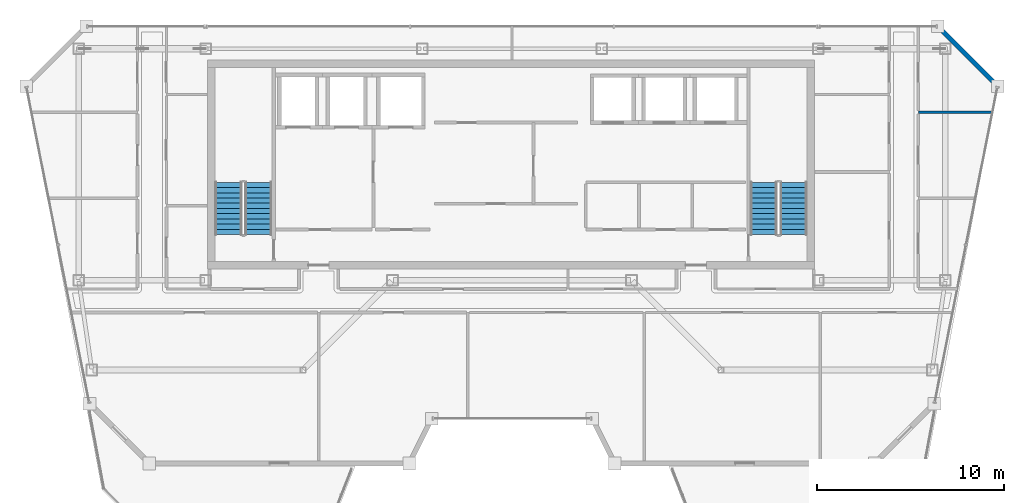
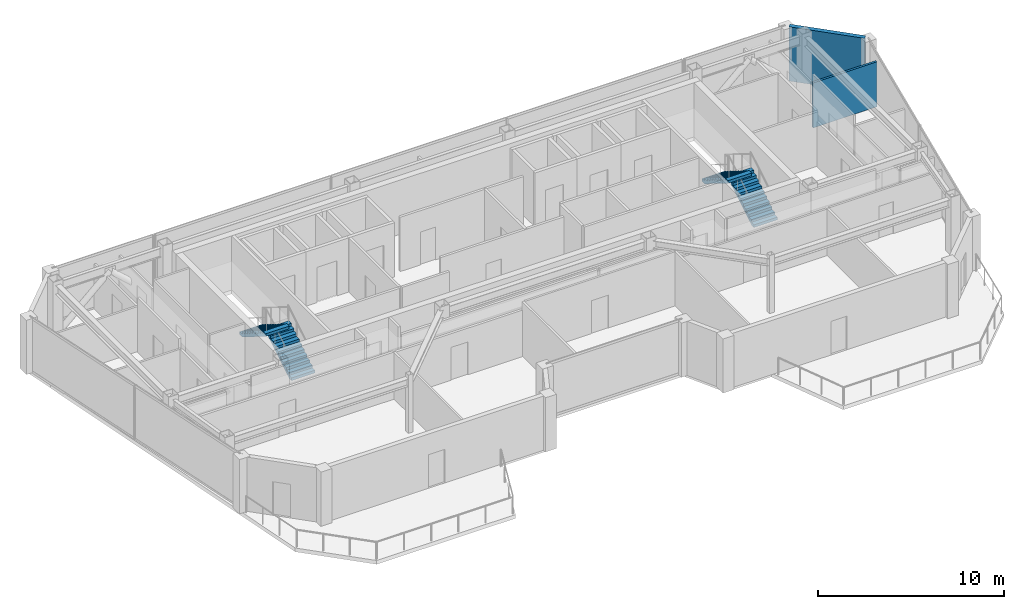
# One storey, part 17 of 20: 4 stair flights, 2 walls, 2 elements without a shape of their own.
"""IFC4 building model written with IfcOpenShell, lengths in metres."""

from ifc_helpers import new_model, si_unit, direction, frame, frame_2d, origin, place, context, subcontext, project, spatial, polyline, rectangle, outline, extrude, material, layer, layer_set, type_object, element, aggregate, save


model = new_model("IFC4")

# Units and contexts
model_context = context("Model", 3, precision=1e-05, world=origin(), true_north=direction((0.0, 1.0)))
body_context = subcontext(model_context, "Body", "Model", "MODEL_VIEW")
ifc_project = project(units=[si_unit("LENGTHUNIT", "METRE"), si_unit("AREAUNIT", "SQUARE_METRE"), si_unit("VOLUMEUNIT", "CUBIC_METRE"), si_unit("PLANEANGLEUNIT", "RADIAN"), si_unit("MASSUNIT", "GRAM", prefix="KILO")], contexts=[model_context])

# Site, building, storey
site_placement = place(None, origin())
site = spatial("IfcSite", under=ifc_project, at=site_placement, CompositionType="ELEMENT")
building_placement = place(site_placement, origin())
building = spatial("IfcBuilding", under=site, at=building_placement, Name="Saevonmaru Cultural Tower", CompositionType="ELEMENT")
storey_placement = place(building_placement, frame((0.0, 0.0, 295.199951171875)))
storey = spatial("IfcBuildingStorey", under=building, at=storey_placement, Name="L70", CompositionType="ELEMENT", Elevation=295.199951171875)

# Walls
ifc_material_1 = material(Name="Granite-Clad Precast Concrete C40/50", Category="masonry")
ifc_layer_1 = layer(ifc_material_1, 0.260009765625, Name="Granite-Clad Precast Concrete C40/50")
ifc_layer_set_1 = layer_set([ifc_layer_1], Name="Granite-Clad Precast Concrete C40/50")
wall_type_1 = type_object("IfcWallType", Name="WL-EXT-SPANDREL-260", PredefinedType="STANDARD", material=ifc_layer_set_1)
wall_1_placement = place(storey_placement, frame((55.886962890625, 52.9130859375, 0.0), z_axis=(0.0, 0.0, 1.0), x_axis=(-0.707106781187, 0.707106781187, 0.0)))
element("IfcWall", 1, at=wall_1_placement, inside=storey, type_object=wall_type_1, Name="L70 Chamfer Corner Spandrel Wall E9", PredefinedType="STANDARD", context=body_context, shape_type="SweptSolid", body=[
    extrude(rectangle(XDim=4.205810546875, YDim=0.260009765625, at=frame_2d((2.10302734375, 0.0))), origin(), (0.0, 0.0, 1.0), 3.550048828125),
])
ifc_material_2 = material(Name="Gypsum Fireboard Partition", Category="gypsum")
ifc_layer_2 = layer(ifc_material_2, 0.135009765625, Name="Gypsum Fireboard Partition")
ifc_layer_set_2 = layer_set([ifc_layer_2], Name="Gypsum Fireboard Partition")
wall_type_2 = type_object("IfcWallType", Name="WL-PART-GYP-135", PredefinedType="PARTITIONING", material=ifc_layer_set_2)
wall_2_placement = place(storey_placement, frame((51.75, 51.39990234375, 0.0), z_axis=(0.0, 0.0, 1.0), x_axis=(1.0, 0.0, 0.0)))
element("IfcWall", 2, at=wall_2_placement, inside=storey, type_object=wall_type_2, Name="L70 NE Studio Divider 2", PredefinedType="PARTITIONING", context=body_context, shape_type="SweptSolid", body=[
    extrude(rectangle(XDim=3.966552734375, YDim=0.135009765625, at=frame_2d((1.9833984375, 0.0))), origin(), (0.0, 0.0, 1.0), 2.947021484375),
])

# Stair, stair flights
ifc_material_3 = material(Name="Concrete C40/50", Category="concrete")
stair_type = type_object("IfcStairType", Name="STR-DOGLEG-RC", PredefinedType="HALF_TURN_STAIR", material=ifc_material_3)
stair_1_placement = place(storey_placement, origin())
stair_1 = element("IfcStair", 3, at=stair_1_placement, inside=storey, type_object=stair_type, Name="L70 Protected exit stair ST-1", PredefinedType="HALF_TURN_STAIR")
ifc_material_4 = material(Name="Precast concrete C40/50", Category="concrete")
stair_flight_type = type_object("IfcStairFlightType", Name="STF-PRECAST-180", PredefinedType="STRAIGHT", material=ifc_material_4)
stair_flight_1_placement = place(storey_placement, frame((16.425048828125, 44.85009765625, 0.0), z_axis=(0.0, 0.0, 1.0), x_axis=(0.0, 1.0, 0.0)))
stair_flight_1 = element("IfcStairFlight", 4, at=stair_flight_1_placement, type_object=stair_flight_type, Name="ST-1-L70 flight 1", NumberOfRisers=11, NumberOfTreads=10, PredefinedType="STRAIGHT", RiserHeight=0.172727273, TreadLength=0.28, context=body_context, shape_type="SweptSolid", body=[
    extrude(outline(polyline([(0.0, 0.0), (0.0, 0.172607421875), (0.280029296875, 0.172607421875), (0.280029296875, 0.345458984375), (0.56005859375, 0.345458984375), (0.56005859375, 0.51806640625), (0.840087890625, 0.51806640625), (0.840087890625, 0.69091796875), (1.1201171875, 0.69091796875), (1.1201171875, 0.863525390625), (1.39990234375, 0.863525390625), (1.39990234375, 1.036376953125), (1.679931640625, 1.036376953125), (1.679931640625, 1.208984375), (1.9599609375, 1.208984375), (1.9599609375, 1.3818359375), (2.239990234375, 1.3818359375), (2.239990234375, 1.554443359375), (2.52001953125, 1.554443359375), (2.52001953125, 1.727294921875), (2.800048828125, 1.727294921875), (2.800048828125, 1.89990234375), (2.800048828125, 1.551025390625), (0.285400390625, 0.0), (0.0, 0.0)])), frame((0.0, 0.72509765625, 0.0), z_axis=(0.0, -1.0, 0.0), x_axis=(1.0, 0.0, 0.0)), (0.0, 0.0, 1.0), 1.449951171875),
])
stair_flight_2_placement = place(storey_placement, frame((14.824951171875, 47.64990234375, 1.900146484375), z_axis=(0.0, 0.0, 1.0), x_axis=(0.0, -1.0, 0.0)))
stair_flight_2 = element("IfcStairFlight", 5, at=stair_flight_2_placement, type_object=stair_flight_type, Name="ST-1-L70 flight 2", NumberOfRisers=11, NumberOfTreads=10, PredefinedType="STRAIGHT", RiserHeight=0.172727273, TreadLength=0.28, context=body_context, shape_type="SweptSolid", body=[
    extrude(outline(polyline([(0.0, 0.0), (0.0, 0.172607421875), (0.280029296875, 0.172607421875), (0.280029296875, 0.345458984375), (0.56005859375, 0.345458984375), (0.56005859375, 0.51806640625), (0.840087890625, 0.51806640625), (0.840087890625, 0.69091796875), (1.1201171875, 0.69091796875), (1.1201171875, 0.863525390625), (1.39990234375, 0.863525390625), (1.39990234375, 1.036376953125), (1.679931640625, 1.036376953125), (1.679931640625, 1.208984375), (1.9599609375, 1.208984375), (1.9599609375, 1.3818359375), (2.239990234375, 1.3818359375), (2.239990234375, 1.554443359375), (2.52001953125, 1.554443359375), (2.52001953125, 1.727294921875), (2.800048828125, 1.727294921875), (2.800048828125, 1.89990234375), (2.800048828125, 1.551025390625), (0.285400390625, 0.0), (0.0, 0.0)])), frame((0.0, 0.72509765625, 0.0), z_axis=(0.0, -1.0, 0.0), x_axis=(1.0, 0.0, 0.0)), (0.0, 0.0, 1.0), 1.449951171875),
])
aggregate(stair_1, [stair_flight_1, stair_flight_2])

stair_2_placement = place(storey_placement, origin())
stair_2 = element("IfcStair", 6, at=stair_2_placement, inside=storey, type_object=stair_type, Name="L70 Protected exit stair ST-2", PredefinedType="HALF_TURN_STAIR")
stair_flight_3_placement = place(storey_placement, frame((45.074951171875, 44.85009765625, 0.0), z_axis=(0.0, 0.0, 1.0), x_axis=(0.0, 1.0, 0.0)))
stair_flight_3 = element("IfcStairFlight", 7, at=stair_flight_3_placement, type_object=stair_flight_type, Name="ST-2-L70 flight 1", NumberOfRisers=11, NumberOfTreads=10, PredefinedType="STRAIGHT", RiserHeight=0.172727273, TreadLength=0.28, context=body_context, shape_type="SweptSolid", body=[
    extrude(outline(polyline([(0.0, 0.0), (0.0, 0.172607421875), (0.280029296875, 0.172607421875), (0.280029296875, 0.345458984375), (0.56005859375, 0.345458984375), (0.56005859375, 0.51806640625), (0.840087890625, 0.51806640625), (0.840087890625, 0.69091796875), (1.1201171875, 0.69091796875), (1.1201171875, 0.863525390625), (1.39990234375, 0.863525390625), (1.39990234375, 1.036376953125), (1.679931640625, 1.036376953125), (1.679931640625, 1.208984375), (1.9599609375, 1.208984375), (1.9599609375, 1.3818359375), (2.239990234375, 1.3818359375), (2.239990234375, 1.554443359375), (2.52001953125, 1.554443359375), (2.52001953125, 1.727294921875), (2.800048828125, 1.727294921875), (2.800048828125, 1.89990234375), (2.800048828125, 1.551025390625), (0.285400390625, 0.0), (0.0, 0.0)])), frame((0.0, 0.72509765625, 0.0), z_axis=(0.0, -1.0, 0.0), x_axis=(1.0, 0.0, 0.0)), (0.0, 0.0, 1.0), 1.449951171875),
])
stair_flight_4_placement = place(storey_placement, frame((43.47509765625, 47.64990234375, 1.900146484375), z_axis=(0.0, 0.0, 1.0), x_axis=(0.0, -1.0, 0.0)))
stair_flight_4 = element("IfcStairFlight", 8, at=stair_flight_4_placement, type_object=stair_flight_type, Name="ST-2-L70 flight 2", NumberOfRisers=11, NumberOfTreads=10, PredefinedType="STRAIGHT", RiserHeight=0.172727273, TreadLength=0.28, context=body_context, shape_type="SweptSolid", body=[
    extrude(outline(polyline([(0.0, 0.0), (0.0, 0.172607421875), (0.280029296875, 0.172607421875), (0.280029296875, 0.345458984375), (0.56005859375, 0.345458984375), (0.56005859375, 0.51806640625), (0.840087890625, 0.51806640625), (0.840087890625, 0.69091796875), (1.1201171875, 0.69091796875), (1.1201171875, 0.863525390625), (1.39990234375, 0.863525390625), (1.39990234375, 1.036376953125), (1.679931640625, 1.036376953125), (1.679931640625, 1.208984375), (1.9599609375, 1.208984375), (1.9599609375, 1.3818359375), (2.239990234375, 1.3818359375), (2.239990234375, 1.554443359375), (2.52001953125, 1.554443359375), (2.52001953125, 1.727294921875), (2.800048828125, 1.727294921875), (2.800048828125, 1.89990234375), (2.800048828125, 1.551025390625), (0.285400390625, 0.0), (0.0, 0.0)])), frame((0.0, 0.72509765625, 0.0), z_axis=(0.0, -1.0, 0.0), x_axis=(1.0, 0.0, 0.0)), (0.0, 0.0, 1.0), 1.449951171875),
])
aggregate(stair_2, [stair_flight_3, stair_flight_4])

save(model, "model.ifc")
